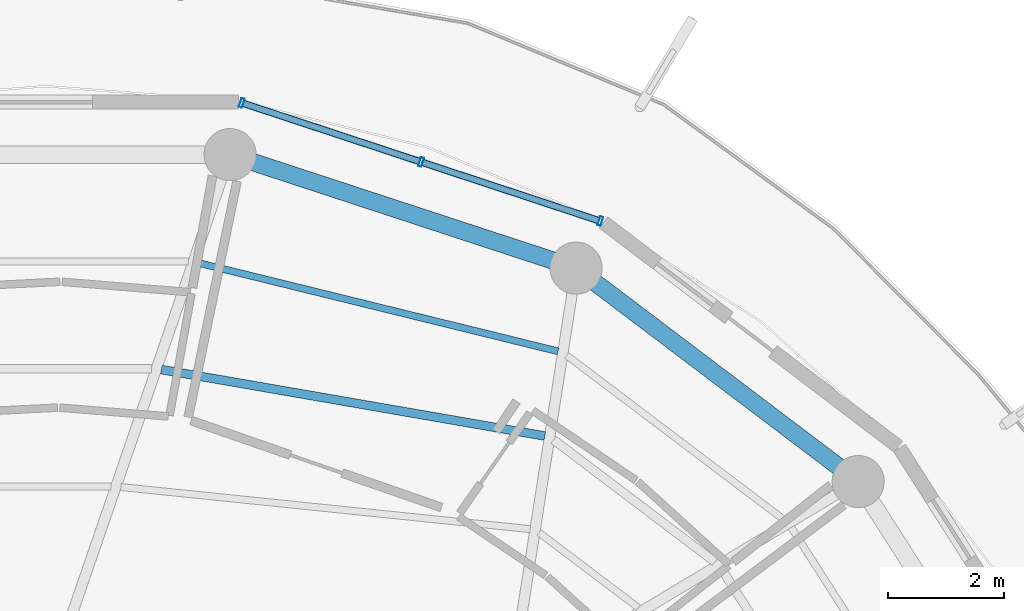
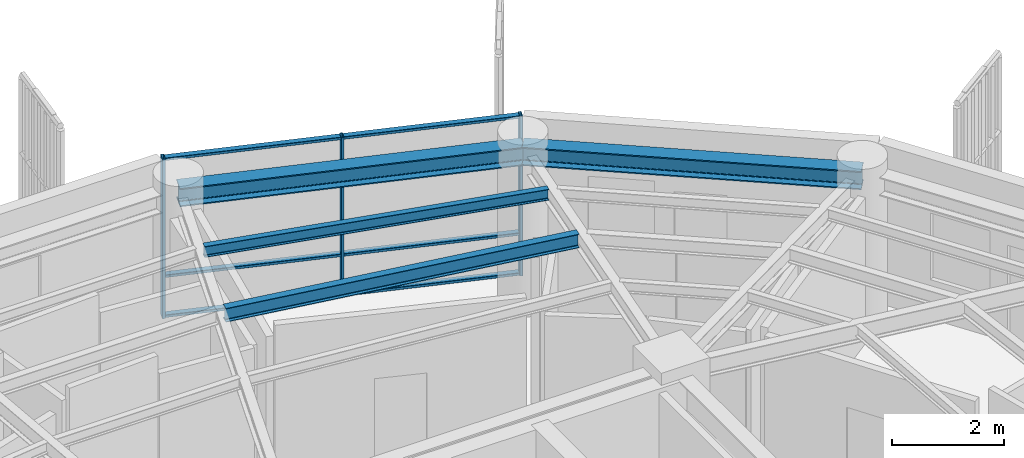
# One storey, part 15 of 24: 9 members, 4 beams, 1 element without a shape of its own.
"""IFC4 building model written with IfcOpenShell, lengths in metres."""

from ifc_helpers import new_model, si_unit, direction, frame, origin, origin_2d, place, context, subcontext, project, spatial, hollow_rectangle, i_section, extrude, material, layer, layer_set, material_profile, profile_set, type_object, element, aggregate, save


model = new_model("IFC4")

# Units and contexts
model_context = context("Model", 3, precision=1e-05, world=origin(), true_north=direction((0.0, 1.0)))
body_context = subcontext(model_context, "Body", "Model", "MODEL_VIEW")
ifc_project = project(units=[si_unit("LENGTHUNIT", "METRE"), si_unit("AREAUNIT", "SQUARE_METRE"), si_unit("VOLUMEUNIT", "CUBIC_METRE"), si_unit("PLANEANGLEUNIT", "RADIAN"), si_unit("MASSUNIT", "GRAM", prefix="KILO")], contexts=[model_context])

# Site, building, storey
site_placement = place(None, origin())
site = spatial("IfcSite", under=ifc_project, at=site_placement, CompositionType="ELEMENT")
building_placement = place(site_placement, origin())
building = spatial("IfcBuilding", under=site, at=building_placement, Name="Kelanora Arch Commons", CompositionType="ELEMENT")
storey_placement = place(building_placement, frame((0.0, 0.0, 248.699951171875)))
storey = spatial("IfcBuildingStorey", under=building, at=storey_placement, Name="L63", CompositionType="ELEMENT", Elevation=248.699951171875)

# Beams
ifc_material_1 = material(Name="Steel S355", Category="steel")
ifc_material_profile_1 = material_profile(ifc_material_1, i_section(OverallWidth=0.14990234375, OverallDepth=0.300048828125, WebThickness=0.007080078125, FlangeThickness=0.0107421875, FilletRadius=0.014892578125, at=origin_2d()), Name="IPE300")
ifc_profile_set_1 = profile_set([ifc_material_profile_1], Name="Steel S355")
beam_type_1 = type_object("IfcBeamType", Name="BM-JST-01", PredefinedType="JOIST", material=ifc_profile_set_1)
beam_1_placement = place(storey_placement, frame((82.60009765625, 69.377685546875, 3.340087890625), z_axis=(-0.985321568263, 0.170708544357, 0.0), x_axis=(-0.170708544357, -0.985321568263, 0.0)))
element("IfcBeam", 1, at=beam_1_placement, inside=storey, type_object=beam_type_1, Name="Secondary Chord Joist BJB-06 L63", PredefinedType="JOIST", context=body_context, shape_type="SweptSolid", body=[
    extrude(i_section(OverallWidth=0.14990234375, OverallDepth=0.300048828125, WebThickness=0.007080078125, FlangeThickness=0.0107421875, FilletRadius=0.014892578125, at=origin_2d()), origin(), (0.0, 0.0, 1.0), 6.710205078125),
])
ifc_material_profile_2 = material_profile(ifc_material_1, i_section(OverallWidth=0.1201171875, OverallDepth=0.239990234375, WebThickness=0.006103515625, FlangeThickness=0.009765625, FilletRadius=0.014892578125, at=origin_2d()), Name="IPE240")
ifc_profile_set_2 = profile_set([ifc_material_profile_2], Name="Steel S355")
beam_type_2 = type_object("IfcBeamType", Name="BM-JST-02", PredefinedType="JOIST", material=ifc_profile_set_2)
beam_2_placement = place(storey_placement, frame((82.82958984375, 70.837890625, 3.3701171875), z_axis=(-0.971109719488, 0.23863342749, 0.0), x_axis=(-0.23863342749, -0.971109719488, 0.0)))
element("IfcBeam", 2, at=beam_2_placement, inside=storey, type_object=beam_type_2, Name="Secondary Chord Joist BJC-06 L63", PredefinedType="JOIST", context=body_context, shape_type="SweptSolid", body=[
    extrude(i_section(OverallWidth=0.1201171875, OverallDepth=0.239990234375, WebThickness=0.006103515625, FlangeThickness=0.009765625, FilletRadius=0.014892578125, at=origin_2d()), origin(), (0.0, 0.0, 1.0), 6.39208984375),
])
ifc_material_profile_3 = material_profile(ifc_material_1, i_section(OverallWidth=0.300048828125, OverallDepth=0.39990234375, WebThickness=0.013427734375, FlangeThickness=0.02392578125, FilletRadius=0.027099609375, at=origin_2d()), Name="HEB400")
ifc_profile_set_3 = profile_set([ifc_material_profile_3], Name="Steel S355")
beam_type_3 = type_object("IfcBeamType", Name="BM-SPN-Z4", PredefinedType="SPANDREL", material=ifc_profile_set_3)
beam_3_placement = place(storey_placement, frame((88.00341796875, 68.593017578125, 3.2900390625), z_axis=(-0.797509460967, 0.603306439273, 0.0), x_axis=(-0.603306439273, -0.797509460967, 0.0)))
element("IfcBeam", 3, at=beam_3_placement, inside=storey, type_object=beam_type_3, Name="Perimeter Spandrel Beam BS-04 L63", PredefinedType="SPANDREL", context=body_context, shape_type="SweptSolid", body=[
    extrude(i_section(OverallWidth=0.300048828125, OverallDepth=0.39990234375, WebThickness=0.013427734375, FlangeThickness=0.02392578125, FilletRadius=0.027099609375, at=origin_2d()), origin(), (0.0, 0.0, 1.0), 6.098388671875),
])
beam_4_placement = place(storey_placement, frame((83.139892578125, 72.272216796875, 3.2900390625), z_axis=(-0.950165923039, 0.311744636996, 0.0), x_axis=(-0.311744636996, -0.950165923039, 0.0)))
element("IfcBeam", 4, at=beam_4_placement, inside=storey, type_object=beam_type_3, Name="Perimeter Spandrel Beam BS-06 L63", PredefinedType="SPANDREL", context=body_context, shape_type="SweptSolid", body=[
    extrude(i_section(OverallWidth=0.300048828125, OverallDepth=0.39990234375, WebThickness=0.013427734375, FlangeThickness=0.02392578125, FilletRadius=0.027099609375, at=origin_2d()), origin(), (0.0, 0.0, 1.0), 6.278564453125),
])

# Curtain wall, members
ifc_material_2 = material(Name="Terracotta ceramic-fritted low-E glass and aluminium", Category="masonry")
ifc_layer = layer(ifc_material_2, 0.18994140625)
ifc_layer_set = layer_set([ifc_layer], Name="Terracotta ceramic-fritted low-E glass and aluminium")
curtain_wall_type = type_object("IfcCurtainWallType", Name="CW-SYS-03", PredefinedType="NOTDEFINED", material=ifc_layer_set)
curtain_wall_placement = place(storey_placement, origin())
curtain_wall = element("IfcCurtainWall", 5, at=curtain_wall_placement, inside=storey, type_object=curtain_wall_type, Name="Unitised Curtain Wall L63-B03", PredefinedType="NOTDEFINED")
ifc_material_3 = material(Name="Powder-coated aluminium terracotta", Category="masonry")
ifc_material_profile_4 = material_profile(ifc_material_3, hollow_rectangle(XDim=0.159912109375, YDim=0.06005859375, WallThickness=0.0048828125, InnerFilletRadius=0.0048828125, OuterFilletRadius=0.010009765625, at=origin_2d()), Name="CWM160x60")
ifc_profile_set_4 = profile_set([ifc_material_profile_4], Name="Powder-coated aluminium terracotta")
member_type_1 = type_object("IfcMemberType", Name="CWM-STD", PredefinedType="MULLION", material=ifc_profile_set_4)
member_1_placement = place(storey_placement, frame((83.557373046875, 73.0830078125, 0.0), z_axis=(0.0, 0.0, 1.0), x_axis=(-0.313252785344, -0.949669780752, 0.0)))
member_1 = element("IfcMember", 6, at=member_1_placement, type_object=member_type_1, Name="CW-03 mullion 1", PredefinedType="MULLION", context=body_context, shape_type="SweptSolid", body=[
    extrude(hollow_rectangle(XDim=0.159912109375, YDim=0.06005859375, WallThickness=0.0048828125, InnerFilletRadius=0.0048828125, OuterFilletRadius=0.010009765625, at=origin_2d()), origin(), (0.0, 0.0, 1.0), 3.47509765625),
])
member_2_placement = place(storey_placement, frame((80.467041015625, 74.102294921875, 0.0), z_axis=(0.0, 0.0, 1.0), x_axis=(-0.313252785344, -0.949669780752, 0.0)))
member_2 = element("IfcMember", 7, at=member_2_placement, type_object=member_type_1, Name="CW-03 mullion 2", PredefinedType="MULLION", context=body_context, shape_type="SweptSolid", body=[
    extrude(hollow_rectangle(XDim=0.159912109375, YDim=0.06005859375, WallThickness=0.0048828125, InnerFilletRadius=0.0048828125, OuterFilletRadius=0.010009765625, at=origin_2d()), origin(), (0.0, 0.0, 1.0), 3.47509765625),
])
member_3_placement = place(storey_placement, frame((77.376708984375, 75.12158203125, 0.0), z_axis=(0.0, 0.0, 1.0), x_axis=(-0.313252785344, -0.949669780752, 0.0)))
member_3 = element("IfcMember", 8, at=member_3_placement, type_object=member_type_1, Name="CW-03 mullion 3", PredefinedType="MULLION", context=body_context, shape_type="SweptSolid", body=[
    extrude(hollow_rectangle(XDim=0.159912109375, YDim=0.06005859375, WallThickness=0.0048828125, InnerFilletRadius=0.0048828125, OuterFilletRadius=0.010009765625, at=origin_2d()), origin(), (0.0, 0.0, 1.0), 3.47509765625),
])
ifc_material_profile_5 = material_profile(ifc_material_3, hollow_rectangle(XDim=0.1201171875, YDim=0.06005859375, WallThickness=0.0048828125, InnerFilletRadius=0.0048828125, OuterFilletRadius=0.010009765625, at=origin_2d()), Name="CWT120x60")
ifc_profile_set_5 = profile_set([ifc_material_profile_5], Name="Powder-coated aluminium terracotta")
member_type_2 = type_object("IfcMemberType", Name="CWT-STD", PredefinedType="USERDEFINED", material=ifc_profile_set_5)
member_4_placement = place(storey_placement, frame((83.52880859375, 73.09228515625, 0.030029296875), z_axis=(-0.949672315102, 0.313245102003, 0.0), x_axis=(-0.313245102003, -0.949672315102, 0.0)))
member_4 = element("IfcMember", 9, at=member_4_placement, type_object=member_type_2, Name="CW-03 transom 1.1", ObjectType="TRANSOM", PredefinedType="USERDEFINED", context=body_context, shape_type="SweptSolid", body=[
    extrude(hollow_rectangle(XDim=0.1201171875, YDim=0.06005859375, WallThickness=0.0048828125, InnerFilletRadius=0.0048828125, OuterFilletRadius=0.010009765625, at=origin_2d()), origin(), (0.0, 0.0, 1.0), 3.19384765625),
])
member_5_placement = place(storey_placement, frame((83.52880859375, 73.09228515625, 0.900146484375), z_axis=(-0.949672315102, 0.313245102003, 0.0), x_axis=(-0.313245102003, -0.949672315102, 0.0)))
member_5 = element("IfcMember", 10, at=member_5_placement, type_object=member_type_2, Name="CW-03 transom 1.2", ObjectType="TRANSOM", PredefinedType="USERDEFINED", context=body_context, shape_type="SweptSolid", body=[
    extrude(hollow_rectangle(XDim=0.1201171875, YDim=0.06005859375, WallThickness=0.0048828125, InnerFilletRadius=0.0048828125, OuterFilletRadius=0.010009765625, at=origin_2d()), origin(), (0.0, 0.0, 1.0), 3.19384765625),
])
member_6_placement = place(storey_placement, frame((83.52880859375, 73.09228515625, 3.445068359375), z_axis=(-0.949672315102, 0.313245102003, 0.0), x_axis=(-0.313245102003, -0.949672315102, 0.0)))
member_6 = element("IfcMember", 11, at=member_6_placement, type_object=member_type_2, Name="CW-03 transom 1.3", ObjectType="TRANSOM", PredefinedType="USERDEFINED", context=body_context, shape_type="SweptSolid", body=[
    extrude(hollow_rectangle(XDim=0.1201171875, YDim=0.06005859375, WallThickness=0.0048828125, InnerFilletRadius=0.0048828125, OuterFilletRadius=0.010009765625, at=origin_2d()), origin(), (0.0, 0.0, 1.0), 3.19384765625),
])
member_7_placement = place(storey_placement, frame((80.4384765625, 74.111572265625, 0.030029296875), z_axis=(-0.949649574195, 0.313314037719, 0.0), x_axis=(-0.313314037719, -0.949649574195, 0.0)))
member_7 = element("IfcMember", 12, at=member_7_placement, type_object=member_type_2, Name="CW-03 transom 2.1", ObjectType="TRANSOM", PredefinedType="USERDEFINED", context=body_context, shape_type="SweptSolid", body=[
    extrude(hollow_rectangle(XDim=0.1201171875, YDim=0.06005859375, WallThickness=0.0048828125, InnerFilletRadius=0.0048828125, OuterFilletRadius=0.010009765625, at=origin_2d()), origin(), (0.0, 0.0, 1.0), 3.194091796875),
])
member_8_placement = place(storey_placement, frame((80.4384765625, 74.111572265625, 0.900146484375), z_axis=(-0.949649574195, 0.313314037719, 0.0), x_axis=(-0.313314037719, -0.949649574195, 0.0)))
member_8 = element("IfcMember", 13, at=member_8_placement, type_object=member_type_2, Name="CW-03 transom 2.2", ObjectType="TRANSOM", PredefinedType="USERDEFINED", context=body_context, shape_type="SweptSolid", body=[
    extrude(hollow_rectangle(XDim=0.1201171875, YDim=0.06005859375, WallThickness=0.0048828125, InnerFilletRadius=0.0048828125, OuterFilletRadius=0.010009765625, at=origin_2d()), origin(), (0.0, 0.0, 1.0), 3.194091796875),
])
member_9_placement = place(storey_placement, frame((80.4384765625, 74.111572265625, 3.445068359375), z_axis=(-0.949649574195, 0.313314037719, 0.0), x_axis=(-0.313314037719, -0.949649574195, 0.0)))
member_9 = element("IfcMember", 14, at=member_9_placement, type_object=member_type_2, Name="CW-03 transom 2.3", ObjectType="TRANSOM", PredefinedType="USERDEFINED", context=body_context, shape_type="SweptSolid", body=[
    extrude(hollow_rectangle(XDim=0.1201171875, YDim=0.06005859375, WallThickness=0.0048828125, InnerFilletRadius=0.0048828125, OuterFilletRadius=0.010009765625, at=origin_2d()), origin(), (0.0, 0.0, 1.0), 3.194091796875),
])
aggregate(curtain_wall, [member_1, member_2, member_3, member_4, member_5, member_6, member_7, member_8, member_9])

save(model, "model.ifc")
